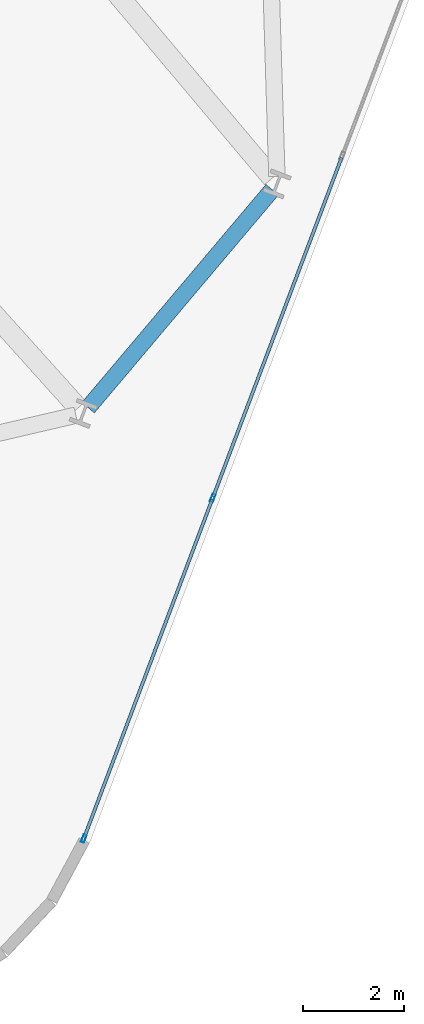
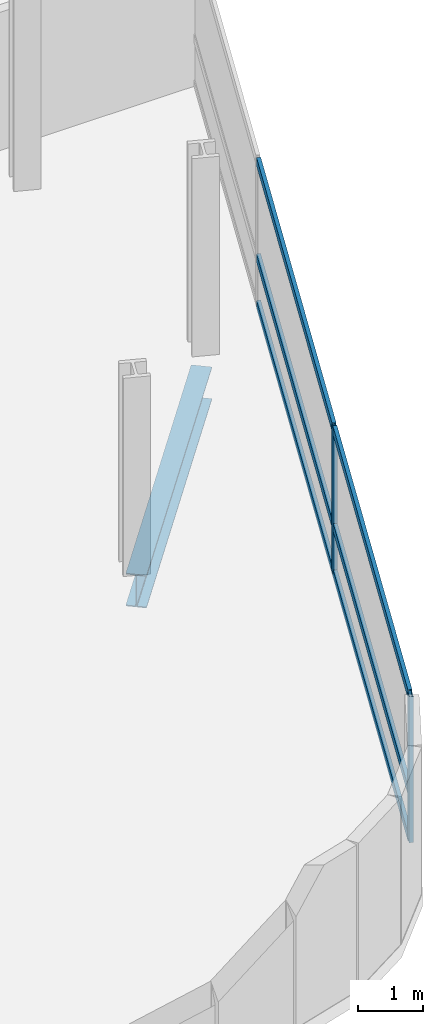
# One storey, part 10 of 24: 8 members, 1 beam, 1 element without a shape of its own.
"""IFC4 building model written with IfcOpenShell, lengths in metres."""

from ifc_helpers import new_model, si_unit, direction, frame, origin, origin_2d, place, context, subcontext, project, spatial, hollow_rectangle, i_section, extrude, material, layer, layer_set, material_profile, profile_set, type_object, element, aggregate, save


model = new_model("IFC4")

# Units and contexts
model_context = context("Model", 3, precision=1e-05, world=origin(), true_north=direction((0.0, 1.0)))
body_context = subcontext(model_context, "Body", "Model", "MODEL_VIEW")
ifc_project = project(units=[si_unit("LENGTHUNIT", "METRE"), si_unit("AREAUNIT", "SQUARE_METRE"), si_unit("VOLUMEUNIT", "CUBIC_METRE"), si_unit("PLANEANGLEUNIT", "RADIAN"), si_unit("MASSUNIT", "GRAM", prefix="KILO")], contexts=[model_context])

# Site, building, storey
site_placement = place(None, origin())
site = spatial("IfcSite", under=ifc_project, at=site_placement, CompositionType="ELEMENT")
building_placement = place(site_placement, origin())
building = spatial("IfcBuilding", under=site, at=building_placement, Name="Varnelok Gate Tower", CompositionType="ELEMENT")
storey_placement = place(building_placement, frame((0.0, 0.0, 94.699951171875)))
storey = spatial("IfcBuildingStorey", under=building, at=storey_placement, Name="L23", CompositionType="ELEMENT", Elevation=94.699951171875)

# Beam
ifc_material_1 = material(Name="Structural Steel ASTM A992 Grade 50", Category="steel")
ifc_material_profile_1 = material_profile(ifc_material_1, i_section(OverallWidth=0.323974609375, OverallDepth=0.611083984375, WebThickness=0.0126953125, FlangeThickness=0.01904296875, FilletRadius=0.01806640625, at=origin_2d()), Name="W24X104")
ifc_profile_set_1 = profile_set([ifc_material_profile_1], Name="Structural Steel ASTM A992 Grade 50")
beam_type = type_object("IfcBeamType", Name="BM-SPN-W24X104", PredefinedType="SPANDREL", material=ifc_profile_set_1)
beam_placement = place(storey_placement, frame((67.7333984375, 3.7421875, -0.555419921875), z_axis=(0.645380340265, 0.763861385592, 0.0), x_axis=(-0.763861385592, 0.645380340265, 0.0)))
element("IfcBeam", 1, at=beam_placement, inside=storey, type_object=beam_type, Name="L23 Perimeter Spandrel Beam 6", PredefinedType="SPANDREL", context=body_context, shape_type="SweptSolid", body=[
    extrude(i_section(OverallWidth=0.323974609375, OverallDepth=0.611083984375, WebThickness=0.0126953125, FlangeThickness=0.01904296875, FilletRadius=0.01806640625, at=origin_2d()), origin(), (0.0, 0.0, 1.0), 5.650146484375),
])

# Curtain wall, members
ifc_material_2 = material(Name="Anodized Aluminum Alloy 6063-T6", Category="aluminium")
ifc_layer = layer(ifc_material_2, 0.179931640625)
ifc_layer_set = layer_set([ifc_layer], Name="Anodized Aluminum Alloy 6063-T6")
curtain_wall_type = type_object("IfcCurtainWallType", Name="CW3-HOTEL-VISION", PredefinedType="USERDEFINED", material=ifc_layer_set)
curtain_wall_placement = place(storey_placement, origin())
curtain_wall = element("IfcCurtainWall", 2, at=curtain_wall_placement, inside=storey, type_object=curtain_wall_type, Name="L23 East End Vision Curtain Wall", ObjectType="UNITISED CURTAIN WALL", PredefinedType="USERDEFINED")
ifc_material_profile_2 = material_profile(ifc_material_2, hollow_rectangle(XDim=0.06494140625, YDim=0.159912109375, WallThickness=0.00390625, at=origin_2d()), Name="ALU160X65X4")
ifc_profile_set_2 = profile_set([ifc_material_profile_2], Name="Anodized Aluminum Alloy 6063-T6")
member_type_1 = type_object("IfcMemberType", Name="CW-MULL-160", PredefinedType="MULLION", material=ifc_profile_set_2)
member_1_placement = place(storey_placement, frame((70.201171875, 1.951171875, 0.0), z_axis=(0.0, 0.0, 1.0), x_axis=(0.935221323688, -0.354063660545, 0.0)))
member_1 = element("IfcMember", 3, at=member_1_placement, type_object=member_type_1, Name="CW3 mullion 5", PredefinedType="MULLION", context=body_context, shape_type="SweptSolid", body=[
    extrude(hollow_rectangle(XDim=0.06494140625, YDim=0.159912109375, WallThickness=0.00390625, at=origin_2d()), origin(), (0.0, 0.0, 1.0), 2.72998046875),
])
member_2_placement = place(storey_placement, frame((67.6494140625, -4.78955078125, 0.0), z_axis=(0.0, 0.0, 1.0), x_axis=(0.935221323688, -0.354063660545, 0.0)))
member_2 = element("IfcMember", 4, at=member_2_placement, type_object=member_type_1, Name="CW3 mullion 6", PredefinedType="MULLION", context=body_context, shape_type="SweptSolid", body=[
    extrude(hollow_rectangle(XDim=0.06494140625, YDim=0.159912109375, WallThickness=0.00390625, at=origin_2d()), origin(), (0.0, 0.0, 1.0), 2.72998046875),
])
ifc_material_profile_3 = material_profile(ifc_material_2, hollow_rectangle(XDim=0.06494140625, YDim=0.159912109375, WallThickness=0.00390625, at=origin_2d()), Name="ALU160X65X4")
ifc_profile_set_3 = profile_set([ifc_material_profile_3], Name="Anodized Aluminum Alloy 6063-T6")
member_type_2 = type_object("IfcMemberType", Name="CW-TRAN-160", PredefinedType="USERDEFINED", material=ifc_profile_set_3)
member_3_placement = place(storey_placement, frame((72.753173828125, 8.691650390625, 0.032470703125), z_axis=(-0.354078724634, -0.935215620465, 0.0), x_axis=(0.935215620465, -0.354078724634, 0.0)))
member_3 = element("IfcMember", 5, at=member_3_placement, type_object=member_type_2, Name="CW3 transom 4.1", ObjectType="TRANSOM", PredefinedType="USERDEFINED", context=body_context, shape_type="SweptSolid", body=[
    extrude(hollow_rectangle(XDim=0.06494140625, YDim=0.159912109375, WallThickness=0.00390625, at=origin_2d()), origin(), (0.0, 0.0, 1.0), 7.175048828125),
])
member_4_placement = place(storey_placement, frame((72.753173828125, 8.691650390625, 0.900146484375), z_axis=(-0.354078724634, -0.935215620465, 0.0), x_axis=(0.935215620465, -0.354078724634, 0.0)))
member_4 = element("IfcMember", 6, at=member_4_placement, type_object=member_type_2, Name="CW3 transom 4.2", ObjectType="TRANSOM", PredefinedType="USERDEFINED", context=body_context, shape_type="SweptSolid", body=[
    extrude(hollow_rectangle(XDim=0.06494140625, YDim=0.159912109375, WallThickness=0.00390625, at=origin_2d()), origin(), (0.0, 0.0, 1.0), 7.175048828125),
])
member_5_placement = place(storey_placement, frame((72.753173828125, 8.691650390625, 2.697509765625), z_axis=(-0.354078724634, -0.935215620465, 0.0), x_axis=(0.935215620465, -0.354078724634, 0.0)))
member_5 = element("IfcMember", 7, at=member_5_placement, type_object=member_type_2, Name="CW3 transom 4.3", ObjectType="TRANSOM", PredefinedType="USERDEFINED", context=body_context, shape_type="SweptSolid", body=[
    extrude(hollow_rectangle(XDim=0.06494140625, YDim=0.159912109375, WallThickness=0.00390625, at=origin_2d()), origin(), (0.0, 0.0, 1.0), 7.175048828125),
])
member_6_placement = place(storey_placement, frame((70.189697265625, 1.920654296875, 0.032470703125), z_axis=(-0.354058568643, -0.935223251406, 0.0), x_axis=(0.935223251406, -0.354058568643, 0.0)))
member_6 = element("IfcMember", 8, at=member_6_placement, type_object=member_type_2, Name="CW3 transom 5.1", ObjectType="TRANSOM", PredefinedType="USERDEFINED", context=body_context, shape_type="SweptSolid", body=[
    extrude(hollow_rectangle(XDim=0.06494140625, YDim=0.159912109375, WallThickness=0.00390625, at=origin_2d()), origin(), (0.0, 0.0, 1.0), 7.142333984375),
])
member_7_placement = place(storey_placement, frame((70.189697265625, 1.920654296875, 0.900146484375), z_axis=(-0.354058568643, -0.935223251406, 0.0), x_axis=(0.935223251406, -0.354058568643, 0.0)))
member_7 = element("IfcMember", 9, at=member_7_placement, type_object=member_type_2, Name="CW3 transom 5.2", ObjectType="TRANSOM", PredefinedType="USERDEFINED", context=body_context, shape_type="SweptSolid", body=[
    extrude(hollow_rectangle(XDim=0.06494140625, YDim=0.159912109375, WallThickness=0.00390625, at=origin_2d()), origin(), (0.0, 0.0, 1.0), 7.142333984375),
])
member_8_placement = place(storey_placement, frame((70.189697265625, 1.920654296875, 2.697509765625), z_axis=(-0.354058568643, -0.935223251406, 0.0), x_axis=(0.935223251406, -0.354058568643, 0.0)))
member_8 = element("IfcMember", 10, at=member_8_placement, type_object=member_type_2, Name="CW3 transom 5.3", ObjectType="TRANSOM", PredefinedType="USERDEFINED", context=body_context, shape_type="SweptSolid", body=[
    extrude(hollow_rectangle(XDim=0.06494140625, YDim=0.159912109375, WallThickness=0.00390625, at=origin_2d()), origin(), (0.0, 0.0, 1.0), 7.142333984375),
])
aggregate(curtain_wall, [member_1, member_2, member_3, member_4, member_5, member_6, member_7, member_8])

save(model, "model.ifc")
